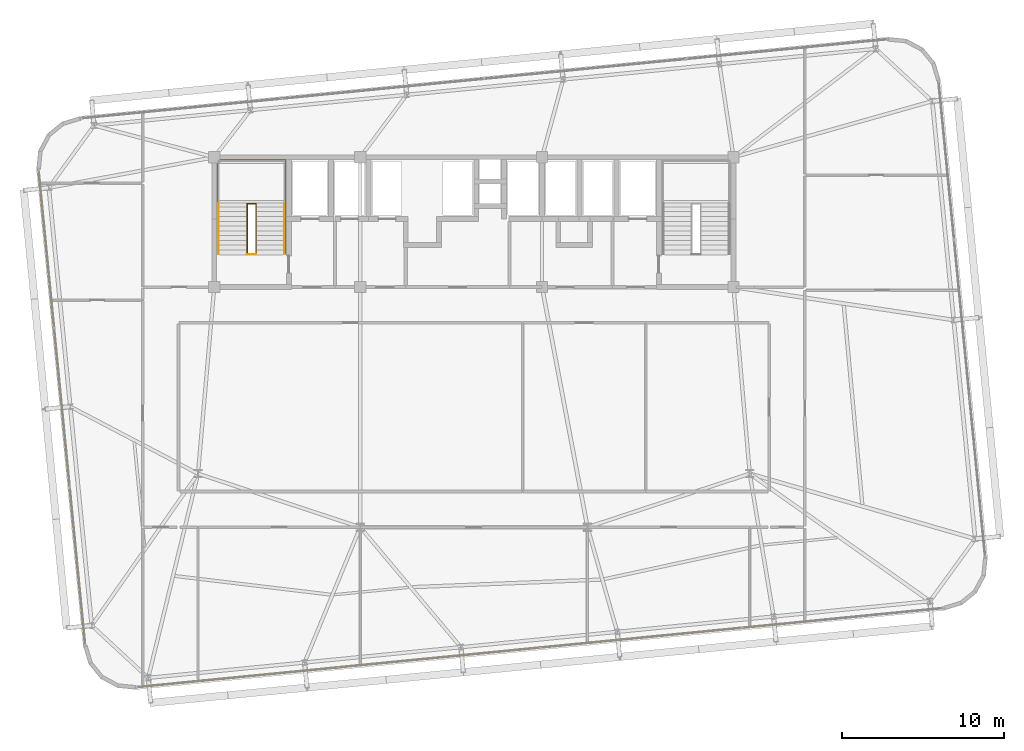
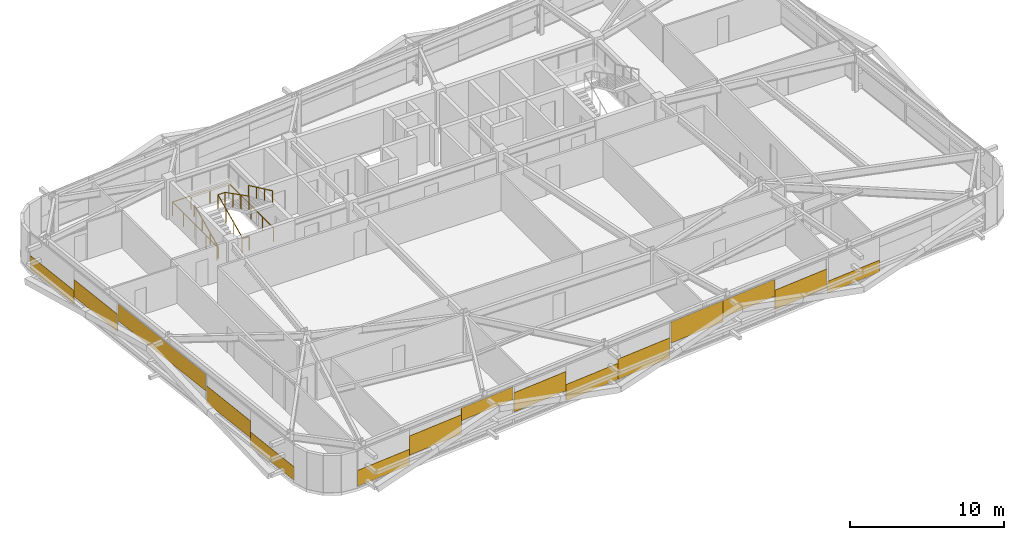
# One storey, part 45 of 47: 15 coverings, 5 railings.
"""IFC4 building model written with IfcOpenShell, lengths in metres."""

from ifc_helpers import new_model, si_unit, direction, frame, origin, origin_2d, place, context, subcontext, project, spatial, rectangle, extrude, source, transform, mapped, material, layer, layer_set, type_object, element, save


model = new_model("IFC4")

# Units and contexts
model_context = context("Model", 3, precision=1e-05, world=origin(), true_north=direction((0.0, 1.0)))
body_context = subcontext(model_context, "Body", "Model", "MODEL_VIEW")
ifc_project = project(units=[si_unit("LENGTHUNIT", "METRE"), si_unit("AREAUNIT", "SQUARE_METRE"), si_unit("VOLUMEUNIT", "CUBIC_METRE"), si_unit("PLANEANGLEUNIT", "RADIAN"), si_unit("MASSUNIT", "GRAM", prefix="KILO")], contexts=[model_context])

# Site, building, storey
site_placement = place(None, origin())
site = spatial("IfcSite", under=ifc_project, at=site_placement, CompositionType="ELEMENT")
building_placement = place(site_placement, origin())
building = spatial("IfcBuilding", under=site, at=building_placement, Name="Taldren Reach Tower", CompositionType="ELEMENT")
storey_placement = place(building_placement, frame((0.0, 0.0, 106.050048828125)))
storey = spatial("IfcBuildingStorey", under=building, at=storey_placement, Name="L32", CompositionType="ELEMENT", Elevation=106.050048828125)

# Railings
ifc_material_1 = material(Name="Steel Gr 350 (C350L0)", Category="steel")
ifc_layer_1 = layer(ifc_material_1, 0.050048828125)
ifc_layer_set_1 = layer_set([ifc_layer_1], Name="Steel Gr 350 (C350L0)")
railing_type_1 = type_object("IfcRailingType", Name="RL-STAIR-GR", PredefinedType="GUARDRAIL", material=ifc_layer_set_1)
railing_1_placement = place(storey_placement, frame((21.030029296875, 26.050048828125, 0.131103515625)))
element("IfcRailing", 1, at=railing_1_placement, inside=storey, type_object=railing_type_1, Name="Stairwell inner guard ST1-L32", PredefinedType="GUARDRAIL", context=body_context, shape_type="SweptSolid", body=[
    extrude(rectangle(XDim=0.047852, YDim=0.047852, at=origin_2d()), frame((0.0, 0.0, 1.09619140625), z_axis=(0.0, 0.905710134349, 0.423897573167), x_axis=(-1.0, 0.0, 0.0)), (0.0, 0.0, 1.0), 3.406005859375),
    extrude(rectangle(XDim=0.047852, YDim=0.047852, at=origin_2d()), frame((0.0, 3.0849609375, 2.5400390625), z_axis=(1.0, 0.0, 0.0), x_axis=(0.0, 1.0, 0.0)), (0.0, 0.0, 1.0), 0.5400390625),
    extrude(rectangle(XDim=0.047852, YDim=0.047852, at=origin_2d()), frame((0.5400390625, 3.0849609375, 2.5400390625), z_axis=(0.0, -0.890645957773, 0.45469745755), x_axis=(1.0, 0.0, 0.0)), (0.0, 0.0, 1.0), 3.463623046875),
    extrude(rectangle(XDim=0.041992, YDim=0.041992, at=origin_2d()), origin(), (0.0, 0.0, 1.0), 1.072021484375),
    extrude(rectangle(XDim=0.041992, YDim=0.041992, at=origin_2d()), frame((0.0, 1.0283203125, 0.481201171875)), (0.0, 0.0, 1.0), 1.072021484375),
    extrude(rectangle(XDim=0.041992, YDim=0.041992, at=origin_2d()), frame((0.0, 2.056640625, 0.962646484375)), (0.0, 0.0, 1.0), 1.072021484375),
    extrude(rectangle(XDim=0.041992, YDim=0.041992, at=origin_2d()), frame((0.0, 3.0849609375, 1.44384765625)), (0.0, 0.0, 1.0), 1.072021484375),
    extrude(rectangle(XDim=0.041992, YDim=0.041992, at=origin_2d()), frame((0.5400390625, 3.0849609375, 1.44384765625)), (0.0, 0.0, 1.0), 1.072021484375),
    extrude(rectangle(XDim=0.041992, YDim=0.041992, at=origin_2d()), frame((0.5400390625, 2.056640625, 1.96875)), (0.0, 0.0, 1.0), 1.072021484375),
    extrude(rectangle(XDim=0.041992, YDim=0.041992, at=origin_2d()), frame((0.5400390625, 1.0283203125, 2.493896484375)), (0.0, 0.0, 1.0), 1.072021484375),
    extrude(rectangle(XDim=0.041992, YDim=0.041992, at=origin_2d()), frame((0.5400390625, 0.0, 3.018798828125)), (0.0, 0.0, 1.0), 1.072021484375),
])
railing_2_placement = place(storey_placement, frame((21.030029296875, 26.010009765625, 0.0)))
element("IfcRailing", 2, at=railing_2_placement, inside=storey, type_object=railing_type_1, Name="Stairwell landing slot guard ST1-L32", PredefinedType="GUARDRAIL", context=body_context, shape_type="SweptSolid", body=[
    extrude(rectangle(XDim=0.047852, YDim=0.047852, at=origin_2d()), frame((0.0, 0.0, 1.09619140625), z_axis=(1.0, 0.0, 0.0), x_axis=(0.0, 1.0, 0.0)), (0.0, 0.0, 1.0), 0.5400390625),
    extrude(rectangle(XDim=0.041992, YDim=0.041992, at=origin_2d()), origin(), (0.0, 0.0, 1.0), 1.072021484375),
    extrude(rectangle(XDim=0.041992, YDim=0.041992, at=origin_2d()), frame((0.5400390625, 0.0, 0.0)), (0.0, 0.0, 1.0), 1.072021484375),
])
railing_3_placement = place(storey_placement, frame((19.18994140625, 26.050048828125, 0.0)))
element("IfcRailing", 3, at=railing_3_placement, inside=storey, type_object=railing_type_1, Name="Stairwell floor opening guard ST1-L32", PredefinedType="GUARDRAIL", context=body_context, shape_type="SweptSolid", body=[
    extrude(rectangle(XDim=0.047852, YDim=0.047852, at=origin_2d()), frame((0.0, 0.0, 1.09619140625), z_axis=(0.0, 1.0, 0.0), x_axis=(-1.0, 0.0, 0.0)), (0.0, 0.0, 1.0), 5.800048828125),
    extrude(rectangle(XDim=0.047852, YDim=0.047852, at=origin_2d()), frame((0.0, 5.800048828125, 1.09619140625), z_axis=(1.0, 0.0, 0.0), x_axis=(0.0, 1.0, 0.0)), (0.0, 0.0, 1.0), 4.219970703125),
    extrude(rectangle(XDim=0.047852, YDim=0.047852, at=origin_2d()), frame((4.219970703125, 5.800048828125, 1.09619140625), z_axis=(0.0, -1.0, 0.0), x_axis=(1.0, 0.0, 0.0)), (0.0, 0.0, 1.0), 5.800048828125),
    extrude(rectangle(XDim=0.041992, YDim=0.041992, at=origin_2d()), origin(), (0.0, 0.0, 1.0), 1.072021484375),
    extrude(rectangle(XDim=0.041992, YDim=0.041992, at=origin_2d()), frame((0.0, 1.449951171875, 0.0)), (0.0, 0.0, 1.0), 1.072021484375),
    extrude(rectangle(XDim=0.041992, YDim=0.041992, at=origin_2d()), frame((0.0, 2.89990234375, 0.0)), (0.0, 0.0, 1.0), 1.072021484375),
    extrude(rectangle(XDim=0.041992, YDim=0.041992, at=origin_2d()), frame((0.0, 4.35009765625, 0.0)), (0.0, 0.0, 1.0), 1.072021484375),
    extrude(rectangle(XDim=0.041992, YDim=0.041992, at=origin_2d()), frame((0.0, 5.800048828125, 0.0)), (0.0, 0.0, 1.0), 1.072021484375),
    extrude(rectangle(XDim=0.041992, YDim=0.041992, at=origin_2d()), frame((1.40673828125, 5.800048828125, 0.0)), (0.0, 0.0, 1.0), 1.072021484375),
    extrude(rectangle(XDim=0.041992, YDim=0.041992, at=origin_2d()), frame((2.813232421875, 5.800048828125, 0.0)), (0.0, 0.0, 1.0), 1.072021484375),
    extrude(rectangle(XDim=0.041992, YDim=0.041992, at=origin_2d()), frame((4.219970703125, 5.800048828125, 0.0)), (0.0, 0.0, 1.0), 1.072021484375),
    extrude(rectangle(XDim=0.041992, YDim=0.041992, at=origin_2d()), frame((4.219970703125, 4.35009765625, 0.0)), (0.0, 0.0, 1.0), 1.072021484375),
    extrude(rectangle(XDim=0.041992, YDim=0.041992, at=origin_2d()), frame((4.219970703125, 2.89990234375, 0.0)), (0.0, 0.0, 1.0), 1.072021484375),
    extrude(rectangle(XDim=0.041992, YDim=0.041992, at=origin_2d()), frame((4.219970703125, 1.449951171875, 0.0)), (0.0, 0.0, 1.0), 1.072021484375),
    extrude(rectangle(XDim=0.041992, YDim=0.041992, at=origin_2d()), frame((4.219970703125, 0.0, 0.0)), (0.0, 0.0, 1.0), 1.072021484375),
])
ifc_material_2 = material(Name="Stainless Steel Gr 316", Category="steel")
ifc_layer_2 = layer(ifc_material_2, 0.048095703125)
ifc_layer_set_2 = layer_set([ifc_layer_2], Name="Stainless Steel Gr 316")
railing_type_2 = type_object("IfcRailingType", Name="RL-STAIR-HR", PredefinedType="HANDRAIL", material=ifc_layer_set_2)
railing_4_placement = place(storey_placement, frame((19.27001953125, 26.050048828125, 0.131103515625)))
element("IfcRailing", 4, at=railing_4_placement, inside=storey, type_object=railing_type_2, Name="Stair flight handrail ST1-L32-1", PredefinedType="HANDRAIL", context=body_context, shape_type="SweptSolid", body=[
    extrude(rectangle(XDim=0.047852, YDim=0.047852, at=origin_2d()), frame((0.0, 0.0, 0.89599609375), z_axis=(0.0, 0.905710134349, 0.423897573167), x_axis=(-1.0, 0.0, 0.0)), (0.0, 0.0, 1.0), 3.406005859375),
    extrude(rectangle(XDim=0.041992, YDim=0.041992, at=origin_2d()), origin(), (0.0, 0.0, 1.0), 0.871826171875),
    extrude(rectangle(XDim=0.041992, YDim=0.041992, at=origin_2d()), frame((0.0, 1.0283203125, 0.481201171875)), (0.0, 0.0, 1.0), 0.871826171875),
    extrude(rectangle(XDim=0.041992, YDim=0.041992, at=origin_2d()), frame((0.0, 2.056640625, 0.962646484375)), (0.0, 0.0, 1.0), 0.871826171875),
    extrude(rectangle(XDim=0.041992, YDim=0.041992, at=origin_2d()), frame((0.0, 3.0849609375, 1.44384765625)), (0.0, 0.0, 1.0), 0.871826171875),
])
railing_5_placement = place(storey_placement, frame((23.330078125, 29.135009765625, 1.7060546875)))
element("IfcRailing", 5, at=railing_5_placement, inside=storey, type_object=railing_type_2, Name="Stair flight handrail ST1-L32-2", PredefinedType="HANDRAIL", context=body_context, shape_type="SweptSolid", body=[
    extrude(rectangle(XDim=0.047852, YDim=0.047852, at=origin_2d()), frame((0.0, 0.0, 0.89599609375), z_axis=(0.0, -0.905710134349, 0.423897573167), x_axis=(1.0, 0.0, 0.0)), (0.0, 0.0, 1.0), 3.406005859375),
    extrude(rectangle(XDim=0.041992, YDim=0.041992, at=origin_2d()), origin(), (0.0, 0.0, 1.0), 0.871826171875),
    extrude(rectangle(XDim=0.041992, YDim=0.041992, at=origin_2d()), frame((0.0, -1.0283203125, 0.481201171875)), (0.0, 0.0, 1.0), 0.871826171875),
    extrude(rectangle(XDim=0.041992, YDim=0.041992, at=origin_2d()), frame((0.0, -2.056640625, 0.962646484375)), (0.0, 0.0, 1.0), 0.871826171875),
    extrude(rectangle(XDim=0.041992, YDim=0.041992, at=origin_2d()), frame((0.0, -3.0849609375, 1.44384765625)), (0.0, 0.0, 1.0), 0.871826171875),
])

# Coverings
ifc_material_3 = material(Name="Pale Champagne Fluoropolymer Aluminium Spandrel Cladding", Category="aluminium")
ifc_layer_3 = layer(ifc_material_3, 0.0439453125)
ifc_layer_set_3 = layer_set([ifc_layer_3], Name="Pale Champagne Fluoropolymer Aluminium Spandrel Cladding")
covering_type = type_object("IfcCoveringType", Name="CV-CLAD-044", PredefinedType="CLADDING", material=ifc_layer_set_3)
shared_shape_1 = source(origin(), body_context, "Body", "SweptSolid", [
    extrude(rectangle(XDim=4.13427734375, YDim=0.0439453125, at=origin_2d()), origin(), (0.0, 0.0, 1.0), 1.260498046875),
])
covering_1_placement = place(storey_placement, frame((16.3095703125, -0.45751953125, 0.0546875), z_axis=(0.0, 0.0, 1.0), x_axis=(0.995227390247, 0.097582999046, 0.0)))
element("IfcCovering", 6, at=covering_1_placement, inside=storey, type_object=covering_type, Name="Diagrid closure cladding strip CW-3 panel 1.1 1", PredefinedType="CLADDING", context=body_context, shape_type="MappedRepresentation", body=[
    mapped(shared_shape_1, transform((0.0, 0.0, 0.0), scale=1.0)),
])
shared_shape_2 = source(origin(), body_context, "Body", "SweptSolid", [
    extrude(rectangle(XDim=4.13427734375, YDim=0.0439453125, at=origin_2d()), origin(), (0.0, 0.0, 1.0), 1.52197265625),
])
covering_2_placement = place(storey_placement, frame((20.424072265625, -0.053955078125, 0.8310546875), z_axis=(0.0, 0.0, 1.0), x_axis=(0.995227390247, 0.097582999046, 0.0)))
element("IfcCovering", 7, at=covering_2_placement, inside=storey, type_object=covering_type, Name="Diagrid closure cladding strip CW-3 panel 1.1 2", PredefinedType="CLADDING", context=body_context, shape_type="MappedRepresentation", body=[
    mapped(shared_shape_2, transform((0.0, 0.0, 0.0), scale=1.0)),
])
shared_shape_3 = source(origin(), body_context, "Body", "SweptSolid", [
    extrude(rectangle(XDim=4.13427734375, YDim=0.0439453125, at=origin_2d()), origin(), (0.0, 0.0, 1.0), 1.006103515625),
])
covering_3_placement = place(storey_placement, frame((24.53857421875, 0.349365234375, 1.86865234375), z_axis=(0.0, 0.0, 1.0), x_axis=(0.995227390247, 0.097582999046, 0.0)))
element("IfcCovering", 8, at=covering_3_placement, inside=storey, type_object=covering_type, Name="Diagrid closure cladding strip CW-3 panel 1.1 3", PredefinedType="CLADDING", context=body_context, shape_type="MappedRepresentation", body=[
    mapped(shared_shape_3, transform((0.0, 0.0, 0.0), scale=1.0)),
])
shared_shape_4 = source(origin(), body_context, "Body", "SweptSolid", [
    extrude(rectangle(XDim=4.14501953125, YDim=0.0439453125, at=origin_2d()), origin(), (0.0, 0.0, 1.0), 1.52490234375),
])
for number, where, z_axis, x_axis, name in (
    (9, (28.72314453125, 0.759765625, 0.85205078125), (0.0, 0.0, 1.0), (0.995227390247, 0.097582999046, 0.0), "Diagrid closure cladding strip CW-3 panel 2.1 1"),
    (10, (49.413818359375, 2.788330078125, 0.492919921875), (0.0, 0.0, 1.0), (0.995227390247, 0.097582999046, 0.0), "Diagrid closure cladding strip CW-3 panel 3.1 3"),
):
    element("IfcCovering", number, at=place(storey_placement, frame(where, z_axis=z_axis, x_axis=x_axis)), inside=storey, type_object=covering_type, Name=name, PredefinedType="CLADDING", context=body_context, shape_type="MappedRepresentation", body=[
        mapped(shared_shape_4, transform((0.0, 0.0, 0.0), scale=1.0)),
    ])
shared_shape_5 = source(origin(), body_context, "Body", "SweptSolid", [
    extrude(rectangle(XDim=4.14501953125, YDim=0.0439453125, at=origin_2d()), origin(), (0.0, 0.0, 1.0), 1.28125),
])
covering_4_placement = place(storey_placement, frame((32.84814453125, 1.1640625, 0.054931640625), z_axis=(0.0, 0.0, 1.0), x_axis=(0.995227390247, 0.097582999046, 0.0)))
element("IfcCovering", 11, at=covering_4_placement, inside=storey, type_object=covering_type, Name="Diagrid closure cladding strip CW-3 panel 2.1 2", PredefinedType="CLADDING", context=body_context, shape_type="MappedRepresentation", body=[
    mapped(shared_shape_5, transform((0.0, 0.0, 0.0), scale=1.0)),
])
shared_shape_6 = source(origin(), body_context, "Body", "SweptSolid", [
    extrude(rectangle(XDim=4.14501953125, YDim=0.0439453125, at=origin_2d()), origin(), (0.0, 0.0, 1.0), 1.614013671875),
])
covering_5_placement = place(storey_placement, frame((36.973388671875, 1.568603515625, 0.05517578125), z_axis=(0.0, 0.0, 1.0), x_axis=(0.995227390247, 0.097582999046, 0.0)))
element("IfcCovering", 12, at=covering_5_placement, inside=storey, type_object=covering_type, Name="Diagrid closure cladding strip CW-3 panel 2.1 3", PredefinedType="CLADDING", context=body_context, shape_type="MappedRepresentation", body=[
    mapped(shared_shape_6, transform((0.0, 0.0, 0.0), scale=1.0)),
])
shared_shape_7 = source(origin(), body_context, "Body", "SweptSolid", [
    extrude(rectangle(XDim=4.14501953125, YDim=0.0439453125, at=origin_2d()), origin(), (0.0, 0.0, 1.0), 1.674072265625),
])
covering_6_placement = place(storey_placement, frame((41.163330078125, 1.9794921875, 1.20068359375), z_axis=(0.0, 0.0, 1.0), x_axis=(0.995227390247, 0.097582999046, 0.0)))
element("IfcCovering", 13, at=covering_6_placement, inside=storey, type_object=covering_type, Name="Diagrid closure cladding strip CW-3 panel 3.1 1", PredefinedType="CLADDING", context=body_context, shape_type="MappedRepresentation", body=[
    mapped(shared_shape_7, transform((0.0, 0.0, 0.0), scale=1.0)),
])
shared_shape_8 = source(origin(), body_context, "Body", "SweptSolid", [
    extrude(rectangle(XDim=4.14501953125, YDim=0.0439453125, at=origin_2d()), origin(), (0.0, 0.0, 1.0), 1.34130859375),
])
covering_7_placement = place(storey_placement, frame((45.28857421875, 2.384033203125, 1.53369140625), z_axis=(0.0, 0.0, 1.0), x_axis=(0.995227390247, 0.097582999046, 0.0)))
element("IfcCovering", 14, at=covering_7_placement, inside=storey, type_object=covering_type, Name="Diagrid closure cladding strip CW-3 panel 3.1 2", PredefinedType="CLADDING", context=body_context, shape_type="MappedRepresentation", body=[
    mapped(shared_shape_8, transform((0.0, 0.0, 0.0), scale=1.0)),
])
shared_shape_9 = source(origin(), body_context, "Body", "SweptSolid", [
    extrude(rectangle(XDim=4.13427734375, YDim=0.0439453125, at=origin_2d()), origin(), (0.0, 0.0, 1.0), 0.946044921875),
])
covering_8_placement = place(storey_placement, frame((53.598388671875, 3.19873046875, 0.05517578125), z_axis=(0.0, 0.0, 1.0), x_axis=(0.995227390247, 0.097582999046, 0.0)))
element("IfcCovering", 15, at=covering_8_placement, inside=storey, type_object=covering_type, Name="Diagrid closure cladding strip CW-3 panel 4.1 1", PredefinedType="CLADDING", context=body_context, shape_type="MappedRepresentation", body=[
    mapped(shared_shape_9, transform((0.0, 0.0, 0.0), scale=1.0)),
])
shared_shape_10 = source(origin(), body_context, "Body", "SweptSolid", [
    extrude(rectangle(XDim=4.867919921875, YDim=0.0439453125, at=origin_2d()), origin(), (0.0, 0.0, 1.0), 1.072998046875),
])
for number, where, z_axis, x_axis, name in (
    (16, (8.427490234375, 28.77392578125, 0.05517578125), (0.0, 0.0, 1.0), (0.09758274098, -0.99522741555, 0.0), "Diagrid closure cladding strip CW-3 panel 1.1 1"),
    (17, (10.818359375, 4.388671875, 0.05517578125), (0.0, 0.0, 1.0), (0.09758274098, -0.99522741555, 0.0), "Diagrid closure cladding strip CW-3 panel 3.1 2"),
):
    element("IfcCovering", number, at=place(storey_placement, frame(where, z_axis=z_axis, x_axis=x_axis)), inside=storey, type_object=covering_type, Name=name, PredefinedType="CLADDING", context=body_context, shape_type="MappedRepresentation", body=[
        mapped(shared_shape_10, transform((0.0, 0.0, 0.0), scale=1.0)),
    ])
shared_shape_11 = source(origin(), body_context, "Body", "SweptSolid", [
    extrude(rectangle(XDim=4.867919921875, YDim=0.0439453125, at=origin_2d()), origin(), (0.0, 0.0, 1.0), 1.350341796875),
])
for number, where, z_axis, x_axis, name in (
    (18, (8.902587890625, 23.92919921875, 0.65087890625), (0.0, 0.0, 1.0), (0.09758274098, -0.99522741555, 0.0), "Diagrid closure cladding strip CW-3 panel 1.1 2"),
    (19, (10.343505859375, 9.2333984375, 0.65087890625), (0.0, 0.0, 1.0), (0.09758274098, -0.99522741555, 0.0), "Diagrid closure cladding strip CW-3 panel 3.1 1"),
):
    element("IfcCovering", number, at=place(storey_placement, frame(where, z_axis=z_axis, x_axis=x_axis)), inside=storey, type_object=covering_type, Name=name, PredefinedType="CLADDING", context=body_context, shape_type="MappedRepresentation", body=[
        mapped(shared_shape_11, transform((0.0, 0.0, 0.0), scale=1.0)),
    ])
shared_shape_12 = source(origin(), body_context, "Body", "SweptSolid", [
    extrude(rectangle(XDim=9.768310546875, YDim=0.0439453125, at=origin_2d()), origin(), (0.0, 0.0, 1.0), 1.339599609375),
])
covering_9_placement = place(storey_placement, frame((9.623046875, 16.581298828125, 1.53515625), z_axis=(0.0, 0.0, 1.0), x_axis=(0.09758274098, -0.99522741555, 0.0)))
element("IfcCovering", 20, at=covering_9_placement, inside=storey, type_object=covering_type, Name="Diagrid closure cladding strip CW-3 panel 2.1 1", PredefinedType="CLADDING", context=body_context, shape_type="MappedRepresentation", body=[
    mapped(shared_shape_12, transform((0.0, 0.0, 0.0), scale=1.0)),
])

save(model, "model.ifc")
